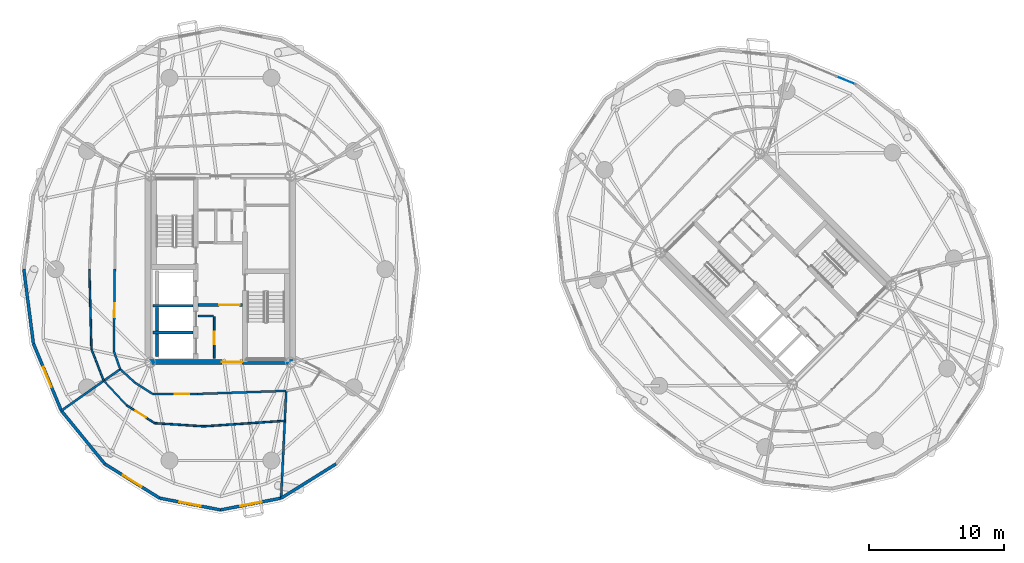
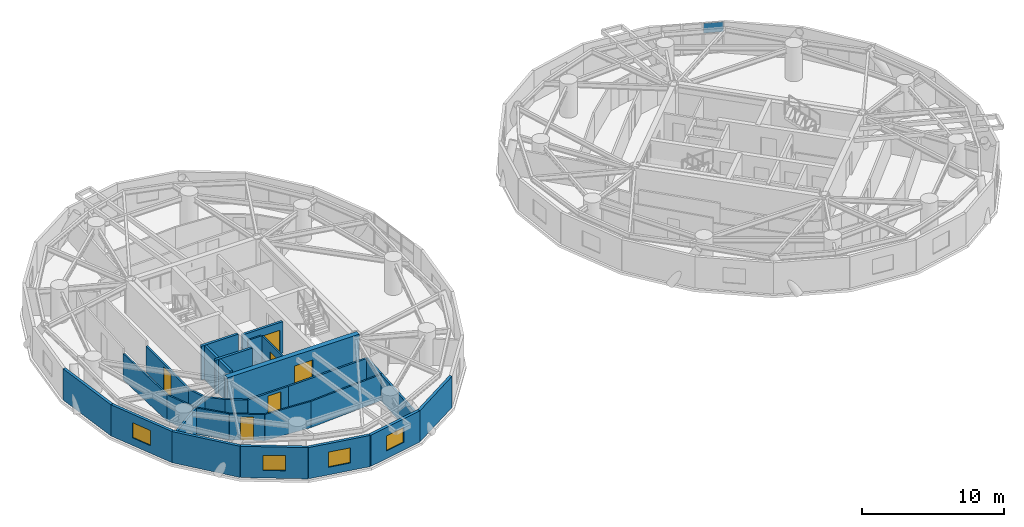
# One storey, part 9 of 17: 29 walls, 6 doors, 4 windows, 1 plate, 10 openings, 1 element without a shape of its own.
"""IFC4 building model written with IfcOpenShell, lengths in metres."""

from ifc_helpers import new_model, si_unit, direction, frame, frame_2d, origin, origin_2d, place, context, subcontext, project, spatial, rectangle, extrude, source, transform, mapped, material, layer, layer_set, type_object, element, fill, aggregate, save


model = new_model("IFC4")

# Units and contexts
model_context = context("Model", 3, precision=1e-05, world=origin(), true_north=direction((0.0, 1.0)))
body_context = subcontext(model_context, "Body", "Model", "MODEL_VIEW")
ifc_project = project(units=[si_unit("LENGTHUNIT", "METRE"), si_unit("AREAUNIT", "SQUARE_METRE"), si_unit("VOLUMEUNIT", "CUBIC_METRE"), si_unit("PLANEANGLEUNIT", "RADIAN"), si_unit("MASSUNIT", "GRAM", prefix="KILO")], contexts=[model_context])

# Site, building, storey
site_placement = place(None, origin())
site = spatial("IfcSite", under=ifc_project, at=site_placement, CompositionType="ELEMENT")
building_placement = place(site_placement, origin())
building = spatial("IfcBuilding", under=site, at=building_placement, Name="Cununo Teusaquillo Station Towers", CompositionType="ELEMENT")
storey_placement = place(building_placement, frame((0.0, 0.0, 166.14990234375)))
storey = spatial("IfcBuildingStorey", under=building, at=storey_placement, Name="L52", CompositionType="ELEMENT", Elevation=166.14990234375)

# Curtain wall, plate
ifc_material_1 = material(Name="Operable acoustic tinted low-E double glazing", Category="glass")
ifc_layer_1 = layer(ifc_material_1, 0.179931640625)
ifc_layer_set_1 = layer_set([ifc_layer_1], Name="Operable acoustic tinted low-E double glazing")
curtain_wall_type = type_object("IfcCurtainWallType", Name="CW-SYS-06", PredefinedType="USERDEFINED", material=ifc_layer_set_1)
curtain_wall_placement = place(storey_placement, origin())
curtain_wall = element("IfcCurtainWall", 1, at=curtain_wall_placement, inside=storey, type_object=curtain_wall_type, Name="L52 Tower B Facade Curtain Wall C01", ObjectType="OPERABLE GLAZING", PredefinedType="USERDEFINED")
ifc_material_2 = material(Name="Operable acoustic tinted low-E double glazing", Category="glass")
ifc_layer_2 = layer(ifc_material_2, 0.031982421875)
ifc_layer_set_2 = layer_set([ifc_layer_2], Name="Operable acoustic tinted low-E double glazing")
plate_type = type_object("IfcPlateType", Name="CWP-OPER-32", PredefinedType="CURTAIN_PANEL", material=ifc_layer_set_2)
shared_shape_1 = source(origin(), body_context, "Body", "SweptSolid", [
    extrude(rectangle(XDim=1.40771484375, YDim=0.031982421875, at=origin_2d()), origin(), (0.0, 0.0, 1.0), 0.83837890625),
])
plate_placement = place(storey_placement, frame((62.667724609375, 38.437255859375, 1.771728515625), z_axis=(0.0, 0.0, 1.0), x_axis=(0.924524840588, -0.381121790423, 0.0)))
plate = element("IfcPlate", 2, at=plate_placement, type_object=plate_type, Name="CW-06 panel 3.2", PredefinedType="CURTAIN_PANEL", context=body_context, shape_type="MappedRepresentation", body=[
    mapped(shared_shape_1, transform((0.0, 0.0, 0.0), x_axis=(1.0, 0.0, 0.0), y_axis=(0.0, 1.0, 0.0), z_axis=(0.0, 0.0, 1.0), scale=1.0)),
])
aggregate(curtain_wall, [plate])

# Walls
ifc_material_3 = material(Name="Concrete C50/60", Category="concrete")
ifc_layer_3 = layer(ifc_material_3, 0.199951171875)
ifc_layer_set_3 = layer_set([ifc_layer_3], Name="Concrete C50/60")
wall_type_1 = type_object("IfcWallType", Name="WL-CORE-200", PredefinedType="SHEAR", material=ifc_layer_set_3)
for number, where, z_axis, x_axis, name in (
    (3, (11.52001953125, 21.800048828125, 0.0), (0.0, 0.0, 1.0), (1.0, 0.0, 0.0), "L52 Tower A Firefighting Lift Shaft South Shear Wall"),
    (4, (11.52001953125, 19.824951171875, 0.0), (0.0, 0.0, 1.0), (1.0, 0.0, 0.0), "L52 Tower A High-Rise Lift Hoistway Divider Shear Wall"),
):
    element("IfcWall", number, at=place(storey_placement, frame(where, z_axis=z_axis, x_axis=x_axis)), inside=storey, type_object=wall_type_1, Name=name, PredefinedType="SHEAR", context=body_context, shape_type="SweptSolid", body=[
        extrude(rectangle(XDim=2.969970703125, YDim=0.199951171875, at=frame_2d((1.48486328125, 0.0))), origin(), (0.0, 0.0, 1.0), 2.91015625),
    ])
wall_1_placement = place(storey_placement, frame((11.820068359375, 19.945068359375, 0.0), z_axis=(0.0, 0.0, 1.0), x_axis=(0.0, 1.0, 0.0)))
element("IfcWall", 5, at=wall_1_placement, inside=storey, type_object=wall_type_1, Name="L52 Tower A High-Rise Lift 2 Shaft Rear Shear Wall", PredefinedType="SHEAR", context=body_context, shape_type="SweptSolid", body=[
    extrude(rectangle(XDim=1.73486328125, YDim=0.199951171875, at=frame_2d((0.867431640625, 0.0))), origin(), (0.0, 0.0, 1.0), 2.91015625),
])
wall_2_placement = place(storey_placement, frame((11.820068359375, 18.070068359375, 0.0), z_axis=(0.0, 0.0, 1.0), x_axis=(0.0, 1.0, 0.0)))
element("IfcWall", 6, at=wall_2_placement, inside=storey, type_object=wall_type_1, Name="L52 Tower A High-Rise Lift 1 Shaft Rear Shear Wall", PredefinedType="SHEAR", context=body_context, shape_type="SweptSolid", body=[
    extrude(rectangle(XDim=1.635009765625, YDim=0.199951171875, at=frame_2d((0.8173828125, 0.0))), origin(), (0.0, 0.0, 1.0), 2.91015625),
])

# Wall, opening, door
ifc_material_4 = material(Name="Concrete C50/60", Category="concrete")
ifc_layer_4 = layer(ifc_material_4, 0.39990234375)
ifc_layer_set_4 = layer_set([ifc_layer_4], Name="Concrete C50/60")
wall_type_2 = type_object("IfcWallType", Name="WL-CORE-400", PredefinedType="SHEAR", material=ifc_layer_set_4)
wall_3_placement = place(storey_placement, frame((11.14990234375, 17.64990234375, 0.0), z_axis=(0.0, 0.0, 1.0), x_axis=(1.0, 0.0, 0.0)))
wall_3 = element("IfcWall", 7, at=wall_3_placement, inside=storey, type_object=wall_type_2, Name="L52 Tower A Core Shear Wall S", PredefinedType="SHEAR", context=body_context, shape_type="SweptSolid", body=[
    extrude(rectangle(XDim=10.7001953125, YDim=0.39990234375, at=frame_2d((5.35009765625, 0.0))), origin(), (0.0, 0.0, 1.0), 2.91015625),
])
shared_shape_2 = source(origin(), body_context, "Body", "SweptSolid", [
    extrude(rectangle(XDim=1.5, YDim=2.02001953125, at=frame_2d((0.75, 1.010009765625))), frame((0.0, 0.2099609375, 0.0), z_axis=(0.0, -1.0, 0.0), x_axis=(1.0, 0.0, 0.0)), (0.0, 0.0, 1.0), 0.419921875),
])
opening_1_placement = place(wall_3_placement, frame((5.449951171875, 0.0, 0.0)))
opening_1 = element("IfcOpeningElement", 8, at=opening_1_placement, cuts=wall_3, Name="Opening D-LB1", PredefinedType="OPENING", context=body_context, shape_type="MappedRepresentation", body=[
    mapped(shared_shape_2, transform((0.0, 0.0, 0.0), x_axis=(1.0, 0.0, 0.0), y_axis=(0.0, 1.0, 0.0), z_axis=(0.0, 0.0, 1.0), scale=1.0)),
])
ifc_material_5 = material(Name="Galvanised fire-rated hollow steel door assembly", Category="steel")
door_type_1 = type_object("IfcDoorType", Name="DR-LOBBY-1500", OperationType="DOUBLE_DOOR_SINGLE_SWING", PredefinedType="DOOR", material=ifc_material_5)
shared_shape_3 = source(origin(), body_context, "Body", "SweptSolid", [
    extrude(rectangle(XDim=1.5, YDim=2.02001953125, at=frame_2d((0.75, 1.010009765625))), frame((0.0, 0.02490234375, 0.0), z_axis=(0.0, -1.0, 0.0), x_axis=(1.0, 0.0, 0.0)), (0.0, 0.0, 1.0), 0.050048828125),
])
door_1_placement = place(opening_1_placement, origin())
door_1 = element("IfcDoor", 9, at=door_1_placement, inside=storey, type_object=door_type_1, Name="L52 Tower A South Core Lift Lobby Door", OperationType="DOUBLE_DOOR_SINGLE_SWING", OverallHeight=2.02001953125, OverallWidth=1.5, PredefinedType="DOOR", context=body_context, shape_type="MappedRepresentation", body=[
    mapped(shared_shape_3, transform((0.0, 0.0, 0.0), x_axis=(1.0, 0.0, 0.0), y_axis=(0.0, 1.0, 0.0), z_axis=(0.0, 0.0, 1.0), scale=1.0)),
])
fill(opening_1, door_1)

# Wall
ifc_material_6 = material(Name="Precast concrete C40/50", Category="concrete")
ifc_layer_5 = layer(ifc_material_6, 0.219970703125)
ifc_layer_set_5 = layer_set([ifc_layer_5], Name="Precast concrete C40/50")
wall_type_3 = type_object("IfcWallType", Name="WL-EXT-220", PredefinedType="SOLIDWALL", material=ifc_layer_set_5)
wall_4_placement = place(storey_placement, frame((2.6953125, 19.0087890625, 0.0), z_axis=(0.0, 0.0, 1.0), x_axis=(-0.128266533912, 0.991739732126, 0.0)))
element("IfcWall", 10, at=wall_4_placement, inside=storey, type_object=wall_type_3, Name="L52 Tower A Exterior Facade Wall C10", PredefinedType="SOLIDWALL", context=body_context, shape_type="SweptSolid", body=[
    extrude(rectangle(XDim=5.536865234375, YDim=0.219970703125, at=frame_2d((2.7685546875, 0.0))), origin(), (0.0, 0.0, 1.0), 2.675048828125),
])

# Wall, opening, window
wall_5_placement = place(storey_placement, frame((4.757080078125, 14.05517578125, 0.0), z_axis=(0.0, 0.0, 1.0), x_axis=(-0.384259959969, 0.923224936386, 0.0)))
wall_5 = element("IfcWall", 11, at=wall_5_placement, inside=storey, type_object=wall_type_3, Name="L52 Tower A Exterior Facade Wall C11", PredefinedType="SOLIDWALL", context=body_context, shape_type="SweptSolid", body=[
    extrude(rectangle(XDim=5.365478515625, YDim=0.219970703125, at=frame_2d((2.6826171875, 0.0))), origin(), (0.0, 0.0, 1.0), 2.675048828125),
])
shared_shape_4 = source(origin(), body_context, "Body", "SweptSolid", [
    extrude(rectangle(XDim=1.60009765625, YDim=1.300048828125, at=frame_2d((0.800048828125, 0.64990234375))), frame((0.0, 0.119873046875, 0.0), z_axis=(0.0, -1.0, 0.0), x_axis=(1.0, 0.0, 0.0)), (0.0, 0.0, 1.0), 0.239990234375),
])
opening_2_placement = place(wall_5_placement, frame((1.883056640625, 0.0, 0.64990234375)))
opening_2 = element("IfcOpeningElement", 12, at=opening_2_placement, cuts=wall_5, Name="Opening WN-03", PredefinedType="OPENING", context=body_context, shape_type="MappedRepresentation", body=[
    mapped(shared_shape_4, transform((0.0, 0.0, 0.0), x_axis=(1.0, 0.0, 0.0), y_axis=(0.0, 1.0, 0.0), z_axis=(0.0, 0.0, 1.0), scale=1.0)),
])
ifc_material_7 = material(Name="Ceramic-fritted dark low-E double glazing", Category="glass")
window_type = type_object("IfcWindowType", Name="WIN-CORN-1600", PartitioningType="SINGLE_PANEL", PredefinedType="WINDOW", material=ifc_material_7)
shared_shape_5 = source(origin(), body_context, "Body", "SweptSolid", [
    extrude(rectangle(XDim=1.60009765625, YDim=1.300048828125, at=frame_2d((0.800048828125, 0.64990234375))), frame((0.0, 0.030029296875, 0.0), z_axis=(0.0, -1.0, 0.0), x_axis=(1.0, 0.0, 0.0)), (0.0, 0.0, 1.0), 0.06005859375),
])
window_1_placement = place(opening_2_placement, origin())
window_1 = element("IfcWindow", 13, at=window_1_placement, inside=storey, type_object=window_type, Name="L52 Tower A Facade Window C11", OverallHeight=1.300048828125, OverallWidth=1.60009765625, PartitioningType="SINGLE_PANEL", PredefinedType="WINDOW", context=body_context, shape_type="MappedRepresentation", body=[
    mapped(shared_shape_5, transform((0.0, 0.0, 0.0), x_axis=(1.0, 0.0, 0.0), y_axis=(0.0, 1.0, 0.0), z_axis=(0.0, 0.0, 1.0), scale=1.0)),
])
fill(opening_2, window_1)

# Wall
wall_6_placement = place(storey_placement, frame((7.96826171875, 10.123779296875, 0.0), z_axis=(0.0, 0.0, 1.0), x_axis=(-0.632598524901, 0.774479894053, 0.0)))
element("IfcWall", 14, at=wall_6_placement, inside=storey, type_object=wall_type_3, Name="L52 Tower A Exterior Facade Wall C12", PredefinedType="SOLIDWALL", context=body_context, shape_type="SweptSolid", body=[
    extrude(rectangle(XDim=5.076171875, YDim=0.219970703125, at=frame_2d((2.5380859375, 0.0))), origin(), (0.0, 0.0, 1.0), 2.675048828125),
])

# Wall, opening, window
wall_7_placement = place(storey_placement, frame((12.0146484375, 7.599609375, 0.0), z_axis=(0.0, 0.0, 1.0), x_axis=(-0.848452391194, 0.529271707044, 0.0)))
wall_7 = element("IfcWall", 15, at=wall_7_placement, inside=storey, type_object=wall_type_3, Name="L52 Tower A Exterior Facade Wall C13", PredefinedType="SOLIDWALL", context=body_context, shape_type="SweptSolid", body=[
    extrude(rectangle(XDim=4.76904296875, YDim=0.219970703125, at=frame_2d((2.384521484375, 0.0))), origin(), (0.0, 0.0, 1.0), 2.675048828125),
])
opening_3_placement = place(wall_7_placement, frame((1.5849609375, 0.0, 0.64990234375)))
opening_3 = element("IfcOpeningElement", 16, at=opening_3_placement, cuts=wall_7, Name="Opening WN-03", PredefinedType="OPENING", context=body_context, shape_type="MappedRepresentation", body=[
    mapped(shared_shape_4, transform((0.0, 0.0, 0.0), x_axis=(1.0, 0.0, 0.0), y_axis=(0.0, 1.0, 0.0), z_axis=(0.0, 0.0, 1.0), scale=1.0)),
])
window_2_placement = place(opening_3_placement, origin())
window_2 = element("IfcWindow", 17, at=window_2_placement, inside=storey, type_object=window_type, Name="L52 Tower A Facade Window C13", OverallHeight=1.300048828125, OverallWidth=1.60009765625, PartitioningType="SINGLE_PANEL", PredefinedType="WINDOW", context=body_context, shape_type="MappedRepresentation", body=[
    mapped(shared_shape_5, transform((0.0, 0.0, 0.0), x_axis=(1.0, 0.0, 0.0), y_axis=(0.0, 1.0, 0.0), z_axis=(0.0, 0.0, 1.0), scale=1.0)),
])
fill(opening_3, window_2)

wall_8_placement = place(storey_placement, frame((16.5, 6.72998046875, 0.0), z_axis=(0.0, 0.0, 1.0), x_axis=(-0.981718699963, 0.190337579429, 0.0)))
wall_8 = element("IfcWall", 18, at=wall_8_placement, inside=storey, type_object=wall_type_3, Name="L52 Tower A Exterior Facade Wall C14", PredefinedType="SOLIDWALL", context=body_context, shape_type="SweptSolid", body=[
    extrude(rectangle(XDim=4.56884765625, YDim=0.219970703125, at=frame_2d((2.284423828125, 0.0))), origin(), (0.0, 0.0, 1.0), 2.675048828125),
])
opening_4_placement = place(wall_8_placement, frame((1.48388671875, 0.0, 0.64990234375)))
opening_4 = element("IfcOpeningElement", 19, at=opening_4_placement, cuts=wall_8, Name="Opening WN-03", PredefinedType="OPENING", context=body_context, shape_type="MappedRepresentation", body=[
    mapped(shared_shape_4, transform((0.0, 0.0, 0.0), x_axis=(1.0, 0.0, 0.0), y_axis=(0.0, 1.0, 0.0), z_axis=(0.0, 0.0, 1.0), scale=1.0)),
])
window_3_placement = place(opening_4_placement, origin())
window_3 = element("IfcWindow", 20, at=window_3_placement, inside=storey, type_object=window_type, Name="L52 Tower A Facade Window C14", OverallHeight=1.300048828125, OverallWidth=1.60009765625, PartitioningType="SINGLE_PANEL", PredefinedType="WINDOW", context=body_context, shape_type="MappedRepresentation", body=[
    mapped(shared_shape_5, transform((0.0, 0.0, 0.0), x_axis=(1.0, 0.0, 0.0), y_axis=(0.0, 1.0, 0.0), z_axis=(0.0, 0.0, 1.0), scale=1.0)),
])
fill(opening_4, window_3)

wall_9_placement = place(storey_placement, frame((20.9853515625, 7.599609375, 0.0), z_axis=(0.0, 0.0, 1.0), x_axis=(-0.981718699963, -0.190337579429, 0.0)))
wall_9 = element("IfcWall", 21, at=wall_9_placement, inside=storey, type_object=wall_type_3, Name="L52 Tower A Exterior Facade Wall C15", PredefinedType="SOLIDWALL", context=body_context, shape_type="SweptSolid", body=[
    extrude(rectangle(XDim=4.56884765625, YDim=0.219970703125, at=frame_2d((2.284423828125, 0.0))), origin(), (0.0, 0.0, 1.0), 2.675048828125),
])
opening_5_placement = place(wall_9_placement, frame((1.48388671875, 0.0, 0.64990234375)))
opening_5 = element("IfcOpeningElement", 22, at=opening_5_placement, cuts=wall_9, Name="Opening WN-03", PredefinedType="OPENING", context=body_context, shape_type="MappedRepresentation", body=[
    mapped(shared_shape_4, transform((0.0, 0.0, 0.0), x_axis=(1.0, 0.0, 0.0), y_axis=(0.0, 1.0, 0.0), z_axis=(0.0, 0.0, 1.0), scale=1.0)),
])
window_4_placement = place(opening_5_placement, origin())
window_4 = element("IfcWindow", 23, at=window_4_placement, inside=storey, type_object=window_type, Name="L52 Tower A Facade Window C15", OverallHeight=1.300048828125, OverallWidth=1.60009765625, PartitioningType="SINGLE_PANEL", PredefinedType="WINDOW", context=body_context, shape_type="MappedRepresentation", body=[
    mapped(shared_shape_5, transform((0.0, 0.0, 0.0), x_axis=(1.0, 0.0, 0.0), y_axis=(0.0, 1.0, 0.0), z_axis=(0.0, 0.0, 1.0), scale=1.0)),
])
fill(opening_5, window_4)

# Wall
wall_10_placement = place(storey_placement, frame((25.03173828125, 10.123779296875, 0.0), z_axis=(0.0, 0.0, 1.0), x_axis=(-0.848452391194, -0.529271707044, 0.0)))
element("IfcWall", 24, at=wall_10_placement, inside=storey, type_object=wall_type_3, Name="L52 Tower A Exterior Facade Wall C16", PredefinedType="SOLIDWALL", context=body_context, shape_type="SweptSolid", body=[
    extrude(rectangle(XDim=4.76904296875, YDim=0.219970703125, at=frame_2d((2.384521484375, 0.0))), origin(), (0.0, 0.0, 1.0), 2.675048828125),
])

# Wall, opening, door
ifc_material_8 = material(Name="Fire-rated gypsum plasterboard partition assembly", Category="gypsum")
ifc_layer_6 = layer(ifc_material_8, 0.125)
ifc_layer_set_6 = layer_set([ifc_layer_6], Name="Fire-rated gypsum plasterboard partition assembly")
wall_type_4 = type_object("IfcWallType", Name="WL-PART-125", PredefinedType="PARTITIONING", material=ifc_layer_set_6)
wall_11_placement = place(storey_placement, frame((16.050048828125, 17.919921875, 0.0), z_axis=(0.0, 0.0, 1.0), x_axis=(0.0, 1.0, 0.0)))
wall_11 = element("IfcWall", 25, at=wall_11_placement, inside=storey, type_object=wall_type_4, Name="L52 Tower A South-West Tall Store East Wall", PredefinedType="PARTITIONING", context=body_context, shape_type="SweptSolid", body=[
    extrude(rectangle(XDim=3.080078125, YDim=0.125, at=frame_2d((1.5400390625, 0.0))), origin(), (0.0, 0.0, 1.0), 2.675048828125),
])
shared_shape_6 = source(origin(), body_context, "Body", "SweptSolid", [
    extrude(rectangle(XDim=0.89990234375, YDim=2.0048828125, at=frame_2d((0.449951171875, 1.00244140625))), frame((0.0, 0.072509765625, 0.0), z_axis=(0.0, -1.0, 0.0), x_axis=(1.0, 0.0, 0.0)), (0.0, 0.0, 1.0), 0.14501953125),
])
opening_6_placement = place(wall_11_placement, frame((1.050048828125, 0.0, 0.0)))
opening_6 = element("IfcOpeningElement", 26, at=opening_6_placement, cuts=wall_11, Name="Opening D-SR1", PredefinedType="OPENING", context=body_context, shape_type="MappedRepresentation", body=[
    mapped(shared_shape_6, transform((0.0, 0.0, 0.0), x_axis=(1.0, 0.0, 0.0), y_axis=(0.0, 1.0, 0.0), z_axis=(0.0, 0.0, 1.0), scale=1.0)),
])
ifc_material_9 = material(Name="Galvanised fire-rated hollow steel door assembly", Category="steel")
door_type_2 = type_object("IfcDoorType", Name="DR-STORE-900", OperationType="NOTDEFINED", PredefinedType="DOOR", material=ifc_material_9)
shared_shape_7 = source(origin(), body_context, "Body", "SweptSolid", [
    extrude(rectangle(XDim=0.89990234375, YDim=2.0048828125, at=frame_2d((0.449951171875, 1.00244140625))), frame((0.0, 0.02490234375, 0.0), z_axis=(0.0, -1.0, 0.0), x_axis=(1.0, 0.0, 0.0)), (0.0, 0.0, 1.0), 0.050048828125),
])
door_2_placement = place(opening_6_placement, origin())
door_2 = element("IfcDoor", 27, at=door_2_placement, inside=storey, type_object=door_type_2, Name="L52 Tower A South Cleaners Store Door", OperationType="SINGLE_SWING_RIGHT", OverallHeight=2.0048828125, OverallWidth=0.89990234375, PredefinedType="DOOR", context=body_context, shape_type="MappedRepresentation", body=[
    mapped(shared_shape_7, transform((0.0, 0.0, 0.0), x_axis=(1.0, 0.0, 0.0), y_axis=(0.0, 1.0, 0.0), z_axis=(0.0, 0.0, 1.0), scale=1.0)),
])
fill(opening_6, door_2)

# Walls
wall_12_placement = place(storey_placement, frame((14.8798828125, 21.050048828125, 0.0), z_axis=(0.0, 0.0, 1.0), x_axis=(1.0, 0.0, 0.0)))
element("IfcWall", 28, at=wall_12_placement, inside=storey, type_object=wall_type_4, Name="L52 Tower A South-West Tall Store North Wall", PredefinedType="PARTITIONING", context=body_context, shape_type="SweptSolid", body=[
    extrude(rectangle(XDim=1.10009765625, YDim=0.125, at=frame_2d((0.550048828125, 0.0))), origin(), (0.0, 0.0, 1.0), 2.675048828125),
])
wall_13_placement = place(storey_placement, frame((6.825439453125, 24.5, 0.0), z_axis=(0.0, 0.0, 1.0), x_axis=(0.025845586866, -0.999665947024, 0.0)))
element("IfcWall", 29, at=wall_13_placement, inside=storey, type_object=wall_type_4, Name="L52 Tower A Sabana Wellness & Spa Lounge Concentric Partition Wall C10", PredefinedType="PARTITIONING", context=body_context, shape_type="SweptSolid", body=[
    extrude(rectangle(XDim=5.90380859375, YDim=0.125, at=frame_2d((2.951904296875, 0.0))), origin(), (0.0, 0.0, 1.0), 2.2451171875),
])
wall_14_placement = place(storey_placement, frame((6.97802734375, 18.59814453125, 0.0), z_axis=(0.0, 0.0, 1.0), x_axis=(0.363845250376, -0.931459410698, 0.0)))
element("IfcWall", 30, at=wall_14_placement, inside=storey, type_object=wall_type_4, Name="L52 Tower A Sabana Wellness & Spa Lounge Concentric Partition Wall C11", PredefinedType="PARTITIONING", context=body_context, shape_type="SweptSolid", body=[
    extrude(rectangle(XDim=2.5087890625, YDim=0.125, at=frame_2d((1.25439453125, 0.0))), origin(), (0.0, 0.0, 1.0), 2.2451171875),
])
wall_15_placement = place(storey_placement, frame((7.890869140625, 16.26123046875, 0.0), z_axis=(0.0, 0.0, 1.0), x_axis=(0.680443535441, -0.7328005152, 0.0)))
element("IfcWall", 31, at=wall_15_placement, inside=storey, type_object=wall_type_4, Name="L52 Tower A Cordillera Executive Conference Salon Concentric Partition Wall C12", PredefinedType="PARTITIONING", context=body_context, shape_type="SweptSolid", body=[
    extrude(rectangle(XDim=2.47607421875, YDim=0.125, at=frame_2d((1.238037109375, 0.0))), origin(), (0.0, 0.0, 1.0), 2.2451171875),
])

# Wall, opening, door
wall_16_placement = place(storey_placement, frame((9.57568359375, 14.44677734375, 0.0), z_axis=(0.0, 0.0, 1.0), x_axis=(0.845905204383, -0.53333327779, 0.0)))
wall_16 = element("IfcWall", 32, at=wall_16_placement, inside=storey, type_object=wall_type_4, Name="L52 Tower A Cordillera Executive Conference Salon Concentric Partition Wall C13", PredefinedType="PARTITIONING", context=body_context, shape_type="SweptSolid", body=[
    extrude(rectangle(XDim=2.465087890625, YDim=0.125, at=frame_2d((1.232421875, 0.0))), origin(), (0.0, 0.0, 1.0), 2.2451171875),
])
opening_7_placement = place(wall_16_placement, frame((0.782470703125, 0.0, 0.0)))
opening_7 = element("IfcOpeningElement", 33, at=opening_7_placement, cuts=wall_16, Name="Opening D-IN1", PredefinedType="OPENING", context=body_context, shape_type="MappedRepresentation", body=[
    mapped(shared_shape_6, transform((0.0, 0.0, 0.0), x_axis=(1.0, 0.0, 0.0), y_axis=(0.0, 1.0, 0.0), z_axis=(0.0, 0.0, 1.0), scale=1.0)),
])
ifc_material_10 = material(Name="Acoustic solid-core hardwood leaf assembly", Category="wood")
door_type_3 = type_object("IfcDoorType", Name="DR-INT-900", OperationType="NOTDEFINED", PredefinedType="DOOR", material=ifc_material_10)
door_3_placement = place(opening_7_placement, origin())
door_3 = element("IfcDoor", 34, at=door_3_placement, inside=storey, type_object=door_type_3, Name="L52 Tower A Cordillera Executive Conference Salon Connecting Door", OperationType="SINGLE_SWING_LEFT", OverallHeight=2.0048828125, OverallWidth=0.89990234375, PredefinedType="DOOR", context=body_context, shape_type="MappedRepresentation", body=[
    mapped(shared_shape_7, transform((0.0, 0.0, 0.0), x_axis=(1.0, 0.0, 0.0), y_axis=(0.0, 1.0, 0.0), z_axis=(0.0, 0.0, 1.0), scale=1.0)),
])
fill(opening_7, door_3)

# Walls
wall_17_placement = place(storey_placement, frame((11.660888671875, 13.132080078125, 0.0), z_axis=(0.0, 0.0, 1.0), x_axis=(0.997932841329, -0.064265419915, 0.0)))
element("IfcWall", 35, at=wall_17_placement, inside=storey, type_object=wall_type_4, Name="L52 Tower A Cordillera Executive Conference Salon Concentric Partition Wall C14", PredefinedType="PARTITIONING", context=body_context, shape_type="SweptSolid", body=[
    extrude(rectangle(XDim=3.624267578125, YDim=0.125, at=frame_2d((1.81201171875, 0.0))), origin(), (0.0, 0.0, 1.0), 2.2451171875),
])
wall_18_placement = place(storey_placement, frame((15.277587890625, 12.899169921875, 0.0), z_axis=(0.0, 0.0, 1.0), x_axis=(0.997695501463, 0.067850470592, 0.0)))
element("IfcWall", 36, at=wall_18_placement, inside=storey, type_object=wall_type_4, Name="L52 Tower A Cordillera Executive Conference Salon Concentric Partition Wall C15", PredefinedType="PARTITIONING", context=body_context, shape_type="SweptSolid", body=[
    extrude(rectangle(XDim=5.987548828125, YDim=0.125, at=frame_2d((2.99365234375, 0.0))), origin(), (0.0, 0.0, 1.0), 2.2451171875),
])

# Wall, opening, door
ifc_material_11 = material(Name="Fire-rated gypsum plasterboard partition assembly", Category="gypsum")
ifc_layer_7 = layer(ifc_material_11, 0.14990234375)
ifc_layer_set_7 = layer_set([ifc_layer_7], Name="Fire-rated gypsum plasterboard partition assembly")
wall_type_5 = type_object("IfcWallType", Name="WL-PART-150", PredefinedType="PARTITIONING", material=ifc_layer_set_7)
wall_19_placement = place(storey_placement, frame((8.699951171875, 24.5, 0.0), z_axis=(0.0, 0.0, 1.0), x_axis=(-0.010507512335, -0.999944794568, 0.0)))
wall_19 = element("IfcWall", 37, at=wall_19_placement, inside=storey, type_object=wall_type_5, Name="L52 Tower A Corridor Ring Wall C10", PredefinedType="PARTITIONING", context=body_context, shape_type="SweptSolid", body=[
    extrude(rectangle(XDim=6.064208984375, YDim=0.14990234375, at=frame_2d((3.0322265625, 0.0))), origin(), (0.0, 0.0, 1.0), 2.2451171875),
])
shared_shape_8 = source(origin(), body_context, "Body", "SweptSolid", [
    extrude(rectangle(XDim=1.050048828125, YDim=2.014892578125, at=frame_2d((0.52490234375, 1.00732421875))), frame((0.0, 0.0849609375, 0.0), z_axis=(0.0, -1.0, 0.0), x_axis=(1.0, 0.0, 0.0)), (0.0, 0.0, 1.0), 0.169921875),
])
opening_8_placement = place(wall_19_placement, frame((2.507080078125, 0.0, 0.0)))
opening_8 = element("IfcOpeningElement", 38, at=opening_8_placement, cuts=wall_19, Name="Opening D-SU1", PredefinedType="OPENING", context=body_context, shape_type="MappedRepresentation", body=[
    mapped(shared_shape_8, transform((0.0, 0.0, 0.0), x_axis=(1.0, 0.0, 0.0), y_axis=(0.0, 1.0, 0.0), z_axis=(0.0, 0.0, 1.0), scale=1.0)),
])
ifc_material_12 = material(Name="Acoustic solid-core hardwood leaf assembly", Category="wood")
door_type_4 = type_object("IfcDoorType", Name="DR-SUITE-1050", OperationType="NOTDEFINED", PredefinedType="DOOR", material=ifc_material_12)
shared_shape_9 = source(origin(), body_context, "Body", "SweptSolid", [
    extrude(rectangle(XDim=1.050048828125, YDim=2.014892578125, at=frame_2d((0.52490234375, 1.00732421875))), frame((0.0, 0.02490234375, 0.0), z_axis=(0.0, -1.0, 0.0), x_axis=(1.0, 0.0, 0.0)), (0.0, 0.0, 1.0), 0.050048828125),
])
door_4_placement = place(opening_8_placement, origin())
door_4 = element("IfcDoor", 39, at=door_4_placement, inside=storey, type_object=door_type_4, Name="L52 Tower A Sabana Wellness & Spa Lounge Entrance Door", OperationType="SINGLE_SWING_RIGHT", OverallHeight=2.014892578125, OverallWidth=1.050048828125, PredefinedType="DOOR", context=body_context, shape_type="MappedRepresentation", body=[
    mapped(shared_shape_9, transform((0.0, 0.0, 0.0), x_axis=(1.0, 0.0, 0.0), y_axis=(0.0, 1.0, 0.0), z_axis=(0.0, 0.0, 1.0), scale=1.0)),
])
fill(opening_8, door_4)

# Walls
wall_20_placement = place(storey_placement, frame((8.63623046875, 18.43603515625, 0.0), z_axis=(0.0, 0.0, 1.0), x_axis=(0.333211866524, -0.942851977782, 0.0)))
element("IfcWall", 40, at=wall_20_placement, inside=storey, type_object=wall_type_5, Name="L52 Tower A Corridor Ring Wall C11", PredefinedType="PARTITIONING", context=body_context, shape_type="SweptSolid", body=[
    extrude(rectangle(XDim=1.401611328125, YDim=0.14990234375, at=frame_2d((0.70068359375, 0.0))), origin(), (0.0, 0.0, 1.0), 2.2451171875),
])
wall_21_placement = place(storey_placement, frame((9.103271484375, 17.114501953125, 0.0), z_axis=(0.0, 0.0, 1.0), x_axis=(0.740186897911, -0.672401186912, 0.0)))
element("IfcWall", 41, at=wall_21_placement, inside=storey, type_object=wall_type_5, Name="L52 Tower A Corridor Ring Wall C12", PredefinedType="PARTITIONING", context=body_context, shape_type="SweptSolid", body=[
    extrude(rectangle(XDim=1.4765625, YDim=0.14990234375, at=frame_2d((0.73828125, 0.0))), origin(), (0.0, 0.0, 1.0), 2.2451171875),
])
wall_22_placement = place(storey_placement, frame((10.1962890625, 16.12158203125, 0.0), z_axis=(0.0, 0.0, 1.0), x_axis=(0.843021142441, -0.537880426673, 0.0)))
element("IfcWall", 42, at=wall_22_placement, inside=storey, type_object=wall_type_5, Name="L52 Tower A Corridor Ring Wall C13", PredefinedType="PARTITIONING", context=body_context, shape_type="SweptSolid", body=[
    extrude(rectangle(XDim=1.5712890625, YDim=0.14990234375, at=frame_2d((0.78564453125, 0.0))), origin(), (0.0, 0.0, 1.0), 2.2451171875),
])

# Wall, opening, door
wall_23_placement = place(storey_placement, frame((11.52099609375, 15.2763671875, 0.0), z_axis=(0.0, 0.0, 1.0), x_axis=(0.999990688463, 0.004315436007, 0.0)))
wall_23 = element("IfcWall", 43, at=wall_23_placement, inside=storey, type_object=wall_type_5, Name="L52 Tower A Corridor Ring Wall C14", PredefinedType="PARTITIONING", context=body_context, shape_type="SweptSolid", body=[
    extrude(rectangle(XDim=3.28125, YDim=0.14990234375, at=frame_2d((1.640625, 0.0))), origin(), (0.0, 0.0, 1.0), 2.2451171875),
])
opening_9_placement = place(wall_23_placement, frame((1.61328125, 0.0, 0.0)))
opening_9 = element("IfcOpeningElement", 44, at=opening_9_placement, cuts=wall_23, Name="Opening D-SU1", PredefinedType="OPENING", context=body_context, shape_type="MappedRepresentation", body=[
    mapped(shared_shape_8, transform((0.0, 0.0, 0.0), x_axis=(1.0, 0.0, 0.0), y_axis=(0.0, 1.0, 0.0), z_axis=(0.0, 0.0, 1.0), scale=1.0)),
])
door_5_placement = place(opening_9_placement, origin())
door_5 = element("IfcDoor", 45, at=door_5_placement, inside=storey, type_object=door_type_4, Name="L52 Tower A Cordillera Executive Conference Salon Entrance Door", OperationType="SINGLE_SWING_RIGHT", OverallHeight=2.014892578125, OverallWidth=1.050048828125, PredefinedType="DOOR", context=body_context, shape_type="MappedRepresentation", body=[
    mapped(shared_shape_9, transform((0.0, 0.0, 0.0), x_axis=(1.0, 0.0, 0.0), y_axis=(0.0, 1.0, 0.0), z_axis=(0.0, 0.0, 1.0), scale=1.0)),
])
fill(opening_9, door_5)

# Walls
wall_24_placement = place(storey_placement, frame((14.80224609375, 15.29052734375, 0.0), z_axis=(0.0, 0.0, 1.0), x_axis=(0.999405778293, 0.034468686011, 0.0)))
element("IfcWall", 46, at=wall_24_placement, inside=storey, type_object=wall_type_5, Name="L52 Tower A Corridor Ring Wall C15", PredefinedType="PARTITIONING", context=body_context, shape_type="SweptSolid", body=[
    extrude(rectangle(XDim=6.558837890625, YDim=0.14990234375, at=frame_2d((3.279296875, 0.0))), origin(), (0.0, 0.0, 1.0), 2.2451171875),
])
ifc_material_13 = material(Name="Fire-rated gypsum plasterboard partition assembly", Category="gypsum")
ifc_layer_8 = layer(ifc_material_13, 0.159912109375)
ifc_layer_set_8 = layer_set([ifc_layer_8], Name="Fire-rated gypsum plasterboard partition assembly")
wall_type_6 = type_object("IfcWallType", Name="WL-PART-160", PredefinedType="PARTITIONING", material=ifc_layer_set_8)
wall_25_placement = place(storey_placement, frame((9.103271484375, 17.114501953125, 0.0), z_axis=(0.0, 0.0, 1.0), x_axis=(-0.817760605426, -0.575558504597, 0.0)))
element("IfcWall", 47, at=wall_25_placement, inside=storey, type_object=wall_type_6, Name="L52 Tower A Radial Suite Partition R04", PredefinedType="PARTITIONING", context=body_context, shape_type="SweptSolid", body=[
    extrude(rectangle(XDim=5.294921875, YDim=0.159912109375, at=frame_2d((2.6474609375, 0.0))), origin(), (0.0, 0.0, 1.0), 2.2451171875),
])
wall_26_placement = place(storey_placement, frame((21.357177734375, 15.5166015625, 0.0), z_axis=(0.0, 0.0, 1.0), x_axis=(-0.047796931987, -0.998857073506, 0.0)))
element("IfcWall", 48, at=wall_26_placement, inside=storey, type_object=wall_type_6, Name="L52 Tower A Radial Suite Partition R05", PredefinedType="PARTITIONING", context=body_context, shape_type="SweptSolid", body=[
    extrude(rectangle(XDim=7.906982421875, YDim=0.159912109375, at=frame_2d((3.95361328125, 0.0))), origin(), (0.0, 0.0, 1.0), 2.2451171875),
])

# Wall, opening, door
ifc_material_14 = material(Name="Fire-rated gypsum plasterboard partition assembly", Category="gypsum")
ifc_layer_9 = layer(ifc_material_14, 0.199951171875)
ifc_layer_set_9 = layer_set([ifc_layer_9], Name="Fire-rated gypsum plasterboard partition assembly")
wall_type_7 = type_object("IfcWallType", Name="WL-PART-200", PredefinedType="PARTITIONING", material=ifc_layer_set_9)
wall_27_placement = place(storey_placement, frame((14.860107421875, 21.85009765625, 0.0), z_axis=(0.0, 0.0, 1.0), x_axis=(1.0, 0.0, 0.0)))
wall_27 = element("IfcWall", 49, at=wall_27_placement, inside=storey, type_object=wall_type_7, Name="L52 Tower A Firefighting Lift Lobby South Fire Wall", PredefinedType="PARTITIONING", context=body_context, shape_type="SweptSolid", body=[
    extrude(rectangle(XDim=3.27978515625, YDim=0.199951171875, at=frame_2d((1.639892578125, 0.0))), origin(), (0.0, 0.0, 1.0), 2.675048828125),
])
shared_shape_10 = source(origin(), body_context, "Body", "SweptSolid", [
    extrude(rectangle(XDim=1.5, YDim=2.02001953125, at=frame_2d((0.75, 1.010009765625))), frame((0.0, 0.10986328125, 0.0), z_axis=(0.0, -1.0, 0.0), x_axis=(1.0, 0.0, 0.0)), (0.0, 0.0, 1.0), 0.219970703125),
])
opening_10_placement = place(wall_27_placement, frame((1.550048828125, 0.0, 0.0)))
opening_10 = element("IfcOpeningElement", 50, at=opening_10_placement, cuts=wall_27, Name="Opening D-LB1", PredefinedType="OPENING", context=body_context, shape_type="MappedRepresentation", body=[
    mapped(shared_shape_10, transform((0.0, 0.0, 0.0), x_axis=(1.0, 0.0, 0.0), y_axis=(0.0, 1.0, 0.0), z_axis=(0.0, 0.0, 1.0), scale=1.0)),
])
door_6_placement = place(opening_10_placement, origin())
door_6 = element("IfcDoor", 51, at=door_6_placement, inside=storey, type_object=door_type_1, Name="L52 Tower A Firefighting Lift Lobby South Fire Door", OperationType="DOUBLE_DOOR_SINGLE_SWING", OverallHeight=2.02001953125, OverallWidth=1.5, PredefinedType="DOOR", context=body_context, shape_type="MappedRepresentation", body=[
    mapped(shared_shape_3, transform((0.0, 0.0, 0.0), x_axis=(1.0, 0.0, 0.0), y_axis=(0.0, 1.0, 0.0), z_axis=(0.0, 0.0, 1.0), scale=1.0)),
])
fill(opening_10, door_6)

save(model, "model.ifc")
